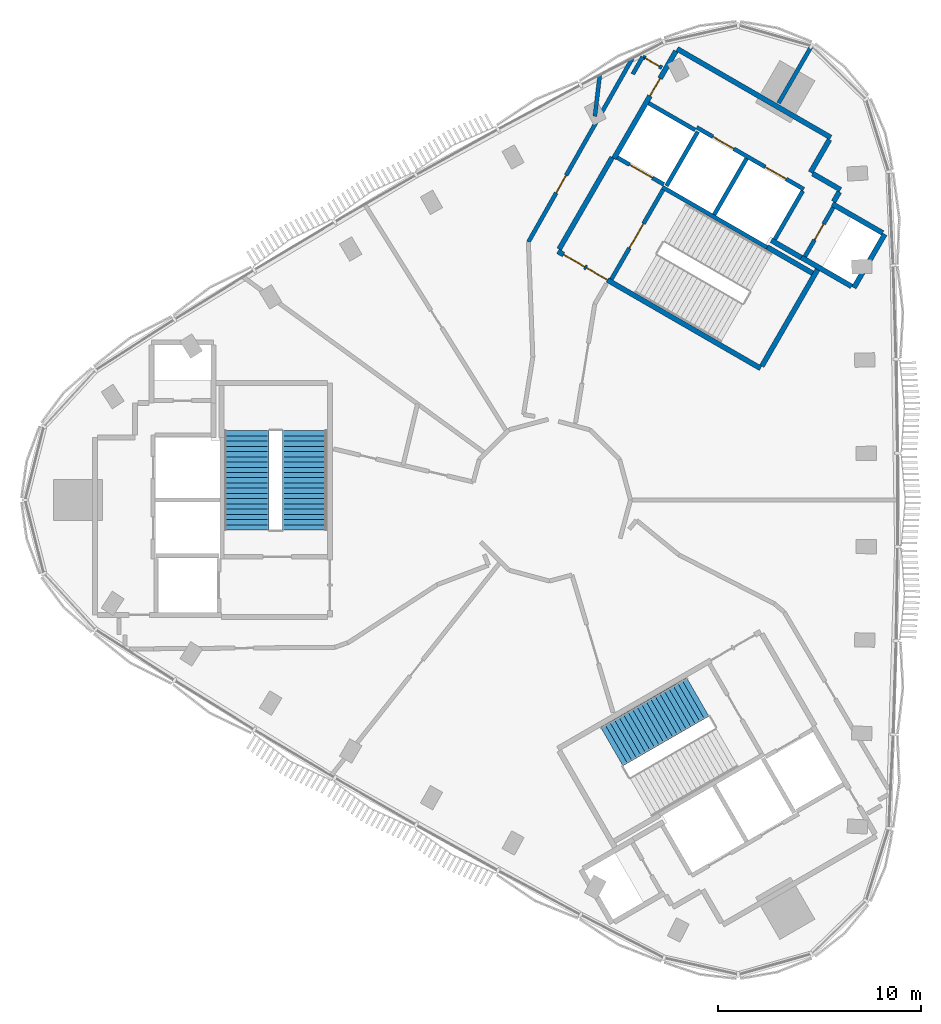
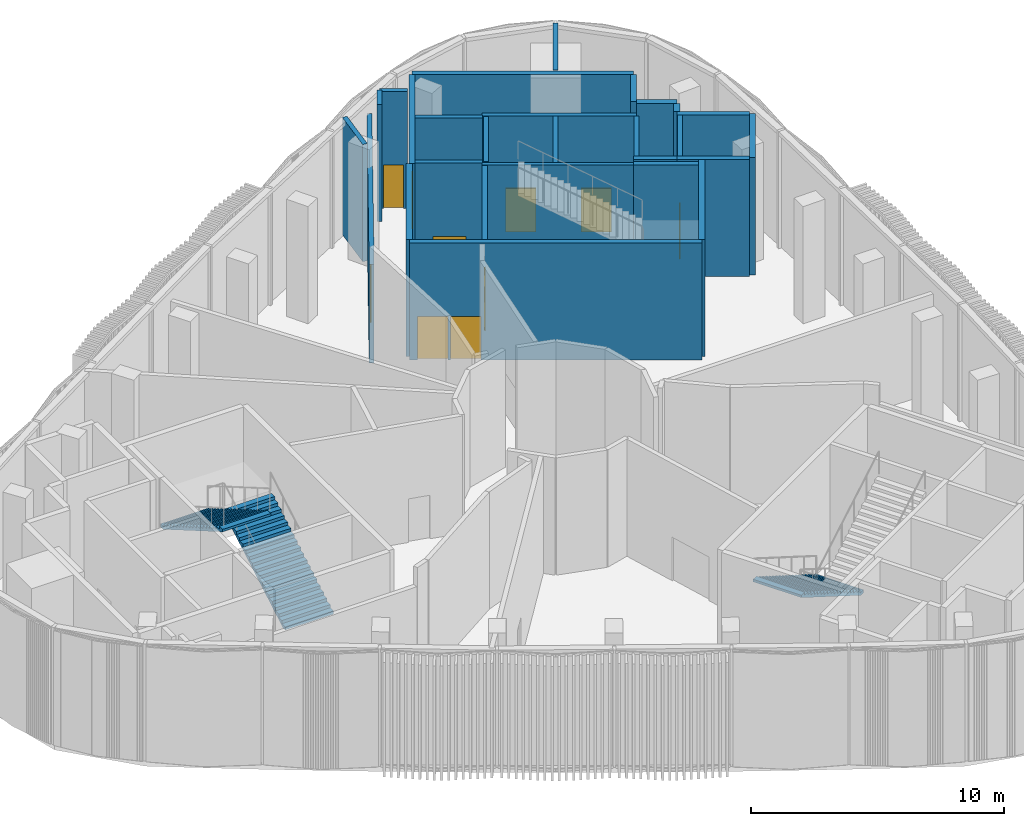
# One storey, part 5 of 11: 27 walls, 10 doors, 3 stair flights, 10 openings, 2 elements without a shape of their own.
"""IFC4 building model written with IfcOpenShell, lengths in metres."""

from ifc_helpers import new_model, si_unit, direction, frame, frame_2d, origin, place, context, subcontext, project, spatial, polyline, rectangle, outline, extrude, material, layer, layer_set, type_object, element, fill, aggregate, save


model = new_model("IFC4")

# Units and contexts
model_context = context("Model", 3, precision=1e-05, world=origin(), true_north=direction((0.0, 1.0)))
body_context = subcontext(model_context, "Body", "Model", "MODEL_VIEW")
ifc_project = project(units=[si_unit("LENGTHUNIT", "METRE"), si_unit("AREAUNIT", "SQUARE_METRE"), si_unit("VOLUMEUNIT", "CUBIC_METRE"), si_unit("PLANEANGLEUNIT", "RADIAN"), si_unit("MASSUNIT", "GRAM", prefix="KILO")], contexts=[model_context])

# Site, building, storey
site_placement = place(None, origin())
site = spatial("IfcSite", under=ifc_project, at=site_placement, CompositionType="ELEMENT")
building_placement = place(site_placement, origin())
building = spatial("IfcBuilding", under=site, at=building_placement, Name="Tamra Quay Hotel Tower", CompositionType="ELEMENT")
storey_placement = place(building_placement, frame((0.0, 0.0, 306.60009765625)))
storey = spatial("IfcBuildingStorey", under=building, at=storey_placement, Name="L77", CompositionType="ELEMENT", Elevation=306.60009765625)

# Wall, openings, doors
ifc_material_1 = material(Name="Concrete M70", Category="concrete")
ifc_layer_1 = layer(ifc_material_1, 0.199951171875)
ifc_layer_set_1 = layer_set([ifc_layer_1], Name="Concrete M70 core wall 200")
wall_type_1 = type_object("IfcWallType", Name="Concrete M70 core wall 200", PredefinedType="SHEAR", material=ifc_layer_set_1)
wall_1_placement = place(storey_placement, frame((12.552490234375, 15.341552734375, 0.0), z_axis=(0.0, 0.0, 1.0), x_axis=(-0.866030299012, 0.499991521122, 0.0)))
wall_1 = element("IfcWall", 1, at=wall_1_placement, inside=storey, type_object=wall_type_1, Name="CW2", PredefinedType="SHEAR", context=body_context, shape_type="SweptSolid", body=[
    extrude(rectangle(XDim=6.10009765625, YDim=0.199951171875, at=frame_2d((3.050048828125, 0.0))), origin(), (0.0, 0.0, 1.0), 5.64990234375),
])
opening_1_placement = place(wall_1_placement, frame((1.0, 0.0, 0.0)))
opening_1 = element("IfcOpeningElement", 2, at=opening_1_placement, cuts=wall_1, Name="Opening LD", PredefinedType="OPENING", context=body_context, shape_type="SweptSolid", body=[
    extrude(rectangle(XDim=1.199951171875, YDim=2.10009765625, at=frame_2d((0.60009765625, 1.050048828125))), frame((0.0, 0.10986328125, 0.0), z_axis=(0.0, -1.0, 0.0), x_axis=(1.0, 0.0, 0.0)), (0.0, 0.0, 1.0), 0.219970703125),
])
opening_2_placement = place(wall_1_placement, frame((3.982177734375, 0.0, 0.0)))
opening_2 = element("IfcOpeningElement", 3, at=opening_2_placement, cuts=wall_1, Name="Opening LD", PredefinedType="OPENING", context=body_context, shape_type="SweptSolid", body=[
    extrude(rectangle(XDim=1.199951171875, YDim=2.10009765625, at=frame_2d((0.60009765625, 1.050048828125))), frame((0.0, 0.10986328125, 0.0), z_axis=(0.0, -1.0, 0.0), x_axis=(1.0, 0.0, 0.0)), (0.0, 0.0, 1.0), 0.219970703125),
])
ifc_material_2 = material(Name="Landing door LD 1200 double door sliding")
door_type_1 = type_object("IfcDoorType", Name="Landing door LD 1200 double door sliding", OperationType="DOUBLE_DOOR_SLIDING", PredefinedType="DOOR", material=ifc_material_2)
door_1_placement = place(opening_1_placement, origin())
door_1 = element("IfcDoor", 4, at=door_1_placement, inside=storey, type_object=door_type_1, Name="LD", OperationType="DOUBLE_DOOR_SLIDING", OverallHeight=2.10009765625, OverallWidth=1.199951171875, PredefinedType="DOOR", context=body_context, shape_type="SweptSolid", body=[
    extrude(rectangle(XDim=1.199951171875, YDim=2.10009765625, at=frame_2d((0.60009765625, 1.050048828125))), frame((0.0, 0.02490234375, 0.0), z_axis=(0.0, -1.0, 0.0), x_axis=(1.0, 0.0, 0.0)), (0.0, 0.0, 1.0), 0.050048828125),
])
fill(opening_1, door_1)
door_2_placement = place(opening_2_placement, origin())
door_2 = element("IfcDoor", 5, at=door_2_placement, inside=storey, type_object=door_type_1, Name="LD", OperationType="DOUBLE_DOOR_SLIDING", OverallHeight=2.10009765625, OverallWidth=1.199951171875, PredefinedType="DOOR", context=body_context, shape_type="SweptSolid", body=[
    extrude(rectangle(XDim=1.199951171875, YDim=2.10009765625, at=frame_2d((0.60009765625, 1.050048828125))), frame((0.0, 0.02490234375, 0.0), z_axis=(0.0, -1.0, 0.0), x_axis=(1.0, 0.0, 0.0)), (0.0, 0.0, 1.0), 0.050048828125),
])
fill(opening_2, door_2)

# Wall
wall_2_placement = place(storey_placement, frame((10.7431640625, 12.4599609375, 0.0), z_axis=(0.0, 0.0, 1.0), x_axis=(-0.866018848283, 0.500011354289, 0.0)))
element("IfcWall", 6, at=wall_2_placement, inside=storey, type_object=wall_type_1, Name="CW2", PredefinedType="SHEAR", context=body_context, shape_type="SweptSolid", body=[
    extrude(rectangle(XDim=5.973876953125, YDim=0.199951171875, at=frame_2d((2.98681640625, 0.0))), origin(), (0.0, 0.0, 1.0), 5.64990234375),
])

# Wall, opening, door
wall_3_placement = place(storey_placement, frame((3.056640625, 10.89453125, 0.0), z_axis=(0.0, 0.0, 1.0), x_axis=(0.500027839223, 0.866009330205, 0.0)))
wall_3 = element("IfcWall", 7, at=wall_3_placement, inside=storey, type_object=wall_type_1, Name="CW2", PredefinedType="SHEAR", context=body_context, shape_type="SweptSolid", body=[
    extrude(rectangle(XDim=5.097900390625, YDim=0.199951171875, at=frame_2d((2.548828125, 0.0))), origin(), (0.0, 0.0, 1.0), 5.64990234375),
])
opening_3_placement = place(wall_3_placement, frame((1.77392578125, 0.0, 0.0)))
opening_3 = element("IfcOpeningElement", 8, at=opening_3_placement, cuts=wall_3, Name="Opening FD2", PredefinedType="OPENING", context=body_context, shape_type="SweptSolid", body=[
    extrude(rectangle(XDim=1.39990234375, YDim=2.10009765625, at=frame_2d((0.699951171875, 1.050048828125))), frame((0.0, 0.10986328125, 0.0), z_axis=(0.0, -1.0, 0.0), x_axis=(1.0, 0.0, 0.0)), (0.0, 0.0, 1.0), 0.219970703125),
])
ifc_material_3 = material(Name="Core door FD2 1400x2100 LH")
door_type_2 = type_object("IfcDoorType", Name="Core door FD2 1400x2100 LH", OperationType="NOTDEFINED", PredefinedType="DOOR", material=ifc_material_3)
door_3_placement = place(opening_3_placement, origin())
door_3 = element("IfcDoor", 9, at=door_3_placement, inside=storey, type_object=door_type_2, Name="FD2", OperationType="SINGLE_SWING_LEFT", OverallHeight=2.10009765625, OverallWidth=1.39990234375, PredefinedType="DOOR", context=body_context, shape_type="SweptSolid", body=[
    extrude(rectangle(XDim=1.39990234375, YDim=2.10009765625, at=frame_2d((0.699951171875, 1.050048828125))), frame((0.0, 0.02490234375, 0.0), z_axis=(0.0, -1.0, 0.0), x_axis=(1.0, 0.0, 0.0)), (0.0, 0.0, 1.0), 0.050048828125),
])
fill(opening_3, door_3)

# Wall
wall_4_placement = place(storey_placement, frame((8.131591796875, 14.08447265625, 0.0), z_axis=(0.0, 0.0, 1.0), x_axis=(0.500030834389, 0.86600760081, 0.0)))
element("IfcWall", 10, at=wall_4_placement, inside=storey, type_object=wall_type_1, Name="CW2", PredefinedType="SHEAR", context=body_context, shape_type="SweptSolid", body=[
    extrude(rectangle(XDim=3.197998046875, YDim=0.199951171875, at=frame_2d((1.59912109375, 0.0))), origin(), (0.0, 0.0, 1.0), 5.64990234375),
])

# Wall, opening, door
wall_5_placement = place(storey_placement, frame((14.0078125, 14.442138671875, 0.0), z_axis=(0.0, 0.0, 1.0), x_axis=(-0.499986818241, -0.866033014143, 0.0)))
wall_5 = element("IfcWall", 11, at=wall_5_placement, inside=storey, type_object=wall_type_1, Name="CW2", PredefinedType="SHEAR", context=body_context, shape_type="SweptSolid", body=[
    extrude(rectangle(XDim=2.7978515625, YDim=0.199951171875, at=frame_2d((1.39892578125, 0.0))), origin(), (0.0, 0.0, 1.0), 5.64990234375),
])
opening_4_placement = place(wall_5_placement, frame((0.948974609375, 0.0, 0.0)))
opening_4 = element("IfcOpeningElement", 12, at=opening_4_placement, cuts=wall_5, Name="Opening D1", PredefinedType="OPENING", context=body_context, shape_type="SweptSolid", body=[
    extrude(rectangle(XDim=0.89990234375, YDim=2.10009765625, at=frame_2d((0.449951171875, 1.050048828125))), frame((0.0, 0.10986328125, 0.0), z_axis=(0.0, -1.0, 0.0), x_axis=(1.0, 0.0, 0.0)), (0.0, 0.0, 1.0), 0.219970703125),
])
ifc_material_4 = material(Name="Core door D1 900x2100 RH")
door_type_3 = type_object("IfcDoorType", Name="Core door D1 900x2100 RH", OperationType="NOTDEFINED", PredefinedType="DOOR", material=ifc_material_4)
door_4_placement = place(opening_4_placement, origin())
door_4 = element("IfcDoor", 13, at=door_4_placement, inside=storey, type_object=door_type_3, Name="D1", OperationType="SINGLE_SWING_RIGHT", OverallHeight=2.10009765625, OverallWidth=0.89990234375, PredefinedType="DOOR", context=body_context, shape_type="SweptSolid", body=[
    extrude(rectangle(XDim=0.89990234375, YDim=2.10009765625, at=frame_2d((0.449951171875, 1.050048828125))), frame((0.0, 0.02490234375, 0.0), z_axis=(0.0, -1.0, 0.0), x_axis=(1.0, 0.0, 0.0)), (0.0, 0.0, 1.0), 0.050048828125),
])
fill(opening_4, door_4)

# Walls
wall_6_placement = place(storey_placement, frame((12.50244140625, 15.2548828125, 0.0), z_axis=(0.0, 0.0, 1.0), x_axis=(-0.499965018551, -0.866045599391, 0.0)))
element("IfcWall", 14, at=wall_6_placement, inside=storey, type_object=wall_type_1, Name="CW2", PredefinedType="SHEAR", context=body_context, shape_type="SweptSolid", body=[
    extrude(rectangle(XDim=2.759033203125, YDim=0.199951171875, at=frame_2d((1.37939453125, 0.0))), origin(), (0.0, 0.0, 1.0), 5.64990234375),
])
wall_7_placement = place(storey_placement, frame((7.324462890625, 18.1865234375, 0.0), z_axis=(0.0, 0.0, 1.0), x_axis=(-0.499967891604, -0.866043940782, 0.0)))
element("IfcWall", 15, at=wall_7_placement, inside=storey, type_object=wall_type_1, Name="CW2", PredefinedType="SHEAR", context=body_context, shape_type="SweptSolid", body=[
    extrude(rectangle(XDim=3.099853515625, YDim=0.199951171875, at=frame_2d((1.5498046875, 0.0))), origin(), (0.0, 0.0, 1.0), 5.64990234375),
])

# Wall, opening, door
wall_8_placement = place(storey_placement, frame((5.646240234375, 15.575927734375, 0.0), z_axis=(0.0, 0.0, 1.0), x_axis=(-0.866018407898, 0.500012117035, 0.0)))
wall_8 = element("IfcWall", 16, at=wall_8_placement, inside=storey, type_object=wall_type_1, Name="CW2", PredefinedType="SHEAR", context=body_context, shape_type="SweptSolid", body=[
    extrude(rectangle(XDim=2.65087890625, YDim=0.199951171875, at=frame_2d((1.325439453125, 0.0))), origin(), (0.0, 0.0, 1.0), 5.64990234375),
])
opening_5_placement = place(wall_8_placement, frame((0.65185546875, 0.0, 0.0)))
opening_5 = element("IfcOpeningElement", 17, at=opening_5_placement, cuts=wall_8, Name="Opening LD", PredefinedType="OPENING", context=body_context, shape_type="SweptSolid", body=[
    extrude(rectangle(XDim=1.300048828125, YDim=2.10009765625, at=frame_2d((0.64990234375, 1.050048828125))), frame((0.0, 0.10986328125, 0.0), z_axis=(0.0, -1.0, 0.0), x_axis=(1.0, 0.0, 0.0)), (0.0, 0.0, 1.0), 0.219970703125),
])
ifc_material_5 = material(Name="Landing door LD 1300 sliding to left")
door_type_4 = type_object("IfcDoorType", Name="Landing door LD 1300 sliding to left", OperationType="NOTDEFINED", PredefinedType="DOOR", material=ifc_material_5)
door_5_placement = place(opening_5_placement, origin())
door_5 = element("IfcDoor", 18, at=door_5_placement, inside=storey, type_object=door_type_4, Name="LD", OperationType="SLIDING_TO_LEFT", OverallHeight=2.10009765625, OverallWidth=1.300048828125, PredefinedType="DOOR", context=body_context, shape_type="SweptSolid", body=[
    extrude(rectangle(XDim=1.300048828125, YDim=2.10009765625, at=frame_2d((0.64990234375, 1.050048828125))), frame((0.0, 0.02490234375, 0.0), z_axis=(0.0, -1.0, 0.0), x_axis=(1.0, 0.0, 0.0)), (0.0, 0.0, 1.0), 0.050048828125),
])
fill(opening_5, door_5)

# Wall
wall_9_placement = place(storey_placement, frame((7.1962890625, 18.260498046875, 0.0), z_axis=(0.0, 0.0, 1.0), x_axis=(-0.866018407898, 0.500012117035, 0.0)))
element("IfcWall", 19, at=wall_9_placement, inside=storey, type_object=wall_type_1, Name="CW2", PredefinedType="SHEAR", context=body_context, shape_type="SweptSolid", body=[
    extrude(rectangle(XDim=2.65087890625, YDim=0.199951171875, at=frame_2d((1.325439453125, 0.0))), origin(), (0.0, 0.0, 1.0), 5.64990234375),
])

# Wall, openings, doors
ifc_layer_2 = layer(ifc_material_1, 0.25)
ifc_layer_set_2 = layer_set([ifc_layer_2], Name="Concrete M70 core wall 250")
wall_type_2 = type_object("IfcWallType", Name="Concrete M70 core wall 250", PredefinedType="SHEAR", material=ifc_layer_set_2)
wall_10_placement = place(storey_placement, frame((10.419921875, 6.497802734375, 0.0), z_axis=(0.0, 0.0, 1.0), x_axis=(-0.866021906294, 0.500006057782, 0.0)))
wall_10 = element("IfcWall", 20, at=wall_10_placement, inside=storey, type_object=wall_type_2, Name="CW1", PredefinedType="SHEAR", context=body_context, shape_type="SweptSolid", body=[
    extrude(rectangle(XDim=11.550048828125, YDim=0.25, at=frame_2d((5.77490234375, 0.0))), origin(), (0.0, 0.0, 1.0), 5.64990234375),
])
opening_6_placement = place(wall_10_placement, frame((10.02490234375, 0.0, 0.0)))
opening_6 = element("IfcOpeningElement", 21, at=opening_6_placement, cuts=wall_10, Name="Opening FD1", PredefinedType="OPENING", context=body_context, shape_type="SweptSolid", body=[
    extrude(rectangle(XDim=1.199951171875, YDim=2.10009765625, at=frame_2d((0.60009765625, 1.050048828125))), frame((0.0, 0.135009765625, 0.0), z_axis=(0.0, -1.0, 0.0), x_axis=(1.0, 0.0, 0.0)), (0.0, 0.0, 1.0), 0.27001953125),
])
opening_7_placement = place(wall_10_placement, frame((8.724853515625, 0.0, 0.0)))
opening_7 = element("IfcOpeningElement", 22, at=opening_7_placement, cuts=wall_10, Name="Opening FD1", PredefinedType="OPENING", context=body_context, shape_type="SweptSolid", body=[
    extrude(rectangle(XDim=1.199951171875, YDim=2.10009765625, at=frame_2d((0.60009765625, 1.050048828125))), frame((0.0, 0.135009765625, 0.0), z_axis=(0.0, -1.0, 0.0), x_axis=(1.0, 0.0, 0.0)), (0.0, 0.0, 1.0), 0.27001953125),
])
ifc_material_6 = material(Name="Core door FD1 1200x2100 LH")
door_type_5 = type_object("IfcDoorType", Name="Core door FD1 1200x2100 LH", OperationType="NOTDEFINED", PredefinedType="DOOR", material=ifc_material_6)
door_6_placement = place(opening_6_placement, origin())
door_6 = element("IfcDoor", 23, at=door_6_placement, inside=storey, type_object=door_type_5, Name="FD1", OperationType="SINGLE_SWING_LEFT", OverallHeight=2.10009765625, OverallWidth=1.199951171875, PredefinedType="DOOR", context=body_context, shape_type="SweptSolid", body=[
    extrude(rectangle(XDim=1.199951171875, YDim=2.10009765625, at=frame_2d((0.60009765625, 1.050048828125))), frame((0.0, 0.02490234375, 0.0), z_axis=(0.0, -1.0, 0.0), x_axis=(1.0, 0.0, 0.0)), (0.0, 0.0, 1.0), 0.050048828125),
])
fill(opening_6, door_6)
ifc_material_7 = material(Name="Core door FD1 1200x2100 RH")
door_type_6 = type_object("IfcDoorType", Name="Core door FD1 1200x2100 RH", OperationType="NOTDEFINED", PredefinedType="DOOR", material=ifc_material_7)
door_7_placement = place(opening_7_placement, origin())
door_7 = element("IfcDoor", 24, at=door_7_placement, inside=storey, type_object=door_type_6, Name="FD1", OperationType="SINGLE_SWING_RIGHT", OverallHeight=2.10009765625, OverallWidth=1.199951171875, PredefinedType="DOOR", context=body_context, shape_type="SweptSolid", body=[
    extrude(rectangle(XDim=1.199951171875, YDim=2.10009765625, at=frame_2d((0.60009765625, 1.050048828125))), frame((0.0, 0.02490234375, 0.0), z_axis=(0.0, -1.0, 0.0), x_axis=(1.0, 0.0, 0.0)), (0.0, 0.0, 1.0), 0.050048828125),
])
fill(opening_7, door_7)

# Wall
wall_11_placement = place(storey_placement, frame((6.303955078125, 22.268798828125, 0.0), z_axis=(0.0, 0.0, 1.0), x_axis=(0.866022959057, -0.500004234368, 0.0)))
element("IfcWall", 25, at=wall_11_placement, inside=storey, type_object=wall_type_2, Name="CW1", PredefinedType="SHEAR", context=body_context, shape_type="SweptSolid", body=[
    extrude(rectangle(XDim=8.75, YDim=0.25, at=frame_2d((4.375, 0.0))), origin(), (0.0, 0.0, 1.0), 5.64990234375),
])

# Wall, opening, door
wall_12_placement = place(storey_placement, frame((3.178955078125, 16.856201171875, 0.0), z_axis=(0.0, 0.0, 1.0), x_axis=(0.500001955336, 0.866024274868, 0.0)))
wall_12 = element("IfcWall", 26, at=wall_12_placement, inside=storey, type_object=wall_type_2, Name="CW1", PredefinedType="SHEAR", context=body_context, shape_type="SweptSolid", body=[
    extrude(rectangle(XDim=6.12451171875, YDim=0.25, at=frame_2d((3.062255859375, 0.0))), origin(), (0.0, 0.0, 1.0), 5.64990234375),
])
opening_8_placement = place(wall_12_placement, frame((3.562744140625, 0.0, 0.0)))
opening_8 = element("IfcOpeningElement", 27, at=opening_8_placement, cuts=wall_12, Name="Opening FD3", PredefinedType="OPENING", context=body_context, shape_type="SweptSolid", body=[
    extrude(rectangle(XDim=1.0, YDim=2.10009765625, at=frame_2d((0.5, 1.050048828125))), frame((0.0, 0.135009765625, 0.0), z_axis=(0.0, -1.0, 0.0), x_axis=(1.0, 0.0, 0.0)), (0.0, 0.0, 1.0), 0.27001953125),
])
ifc_material_8 = material(Name="Core door FD3 1000x2100 LH")
door_type_7 = type_object("IfcDoorType", Name="Core door FD3 1000x2100 LH", OperationType="NOTDEFINED", PredefinedType="DOOR", material=ifc_material_8)
door_8_placement = place(opening_8_placement, origin())
door_8 = element("IfcDoor", 28, at=door_8_placement, inside=storey, type_object=door_type_7, Name="FD3", OperationType="SINGLE_SWING_LEFT", OverallHeight=2.10009765625, OverallWidth=1.0, PredefinedType="DOOR", context=body_context, shape_type="SweptSolid", body=[
    extrude(rectangle(XDim=1.0, YDim=2.10009765625, at=frame_2d((0.5, 1.050048828125))), frame((0.0, 0.02490234375, 0.0), z_axis=(0.0, -1.0, 0.0), x_axis=(1.0, 0.0, 0.0)), (0.0, 0.0, 1.0), 0.050048828125),
])
fill(opening_8, door_8)

# Walls
wall_13_placement = place(storey_placement, frame((0.47998046875, 12.38134765625, 0.0), z_axis=(0.0, 0.0, 1.0), x_axis=(0.49999885962, 0.866026062182, 0.0)))
element("IfcWall", 29, at=wall_13_placement, inside=storey, type_object=wall_type_2, Name="CW1", PredefinedType="SHEAR", context=body_context, shape_type="SweptSolid", body=[
    extrude(rectangle(XDim=5.224609375, YDim=0.25, at=frame_2d((2.6123046875, 0.0))), origin(), (0.0, 0.0, 1.0), 5.64990234375),
])
wall_14_placement = place(storey_placement, frame((13.237548828125, 11.3779296875, 0.0), z_axis=(0.0, 0.0, 1.0), x_axis=(-0.500008851346, -0.866020293397, 0.0)))
element("IfcWall", 30, at=wall_14_placement, inside=storey, type_object=wall_type_2, Name="CW1", PredefinedType="SHEAR", context=body_context, shape_type="SweptSolid", body=[
    extrude(rectangle(XDim=5.509765625, YDim=0.25, at=frame_2d((2.7548828125, 0.0))), origin(), (0.0, 0.0, 1.0), 5.64990234375),
])
wall_15_placement = place(storey_placement, frame((16.552001953125, 13.118896484375, 0.0), z_axis=(0.0, 0.0, 1.0), x_axis=(-0.499978833458, -0.866037623948, 0.0)))
element("IfcWall", 31, at=wall_15_placement, inside=storey, type_object=wall_type_2, Name="CW1", PredefinedType="SHEAR", context=body_context, shape_type="SweptSolid", body=[
    extrude(rectangle(XDim=3.050048828125, YDim=0.25, at=frame_2d((1.52490234375, 0.0))), origin(), (0.0, 0.0, 1.0), 5.64990234375),
])
wall_16_placement = place(storey_placement, frame((14.91845703125, 10.540283203125, 0.0), z_axis=(0.0, 0.0, 1.0), x_axis=(-0.866063538972, 0.499933942099, 0.0)))
element("IfcWall", 32, at=wall_16_placement, inside=storey, type_object=wall_type_2, Name="CW1", PredefinedType="SHEAR", context=body_context, shape_type="SweptSolid", body=[
    extrude(rectangle(XDim=2.86474609375, YDim=0.25, at=frame_2d((1.432373046875, 0.0))), origin(), (0.0, 0.0, 1.0), 5.64990234375),
])
wall_17_placement = place(storey_placement, frame((13.962646484375, 14.61376953125, 0.0), z_axis=(0.0, 0.0, 1.0), x_axis=(0.866042235819, -0.499970844928, 0.0)))
element("IfcWall", 33, at=wall_17_placement, inside=storey, type_object=wall_type_2, Name="CW1", PredefinedType="SHEAR", context=body_context, shape_type="SweptSolid", body=[
    extrude(rectangle(XDim=2.864501953125, YDim=0.25, at=frame_2d((1.43212890625, 0.0))), origin(), (0.0, 0.0, 1.0), 5.64990234375),
])
wall_18_placement = place(storey_placement, frame((10.756591796875, 12.481201171875, 0.0), z_axis=(0.0, 0.0, 1.0), x_axis=(0.866022940537, -0.500004266446, 0.0)))
element("IfcWall", 34, at=wall_18_placement, inside=storey, type_object=wall_type_2, Name="CW1", PredefinedType="SHEAR", context=body_context, shape_type="SweptSolid", body=[
    extrude(rectangle(XDim=2.57470703125, YDim=0.25, at=frame_2d((1.287353515625, 0.0))), origin(), (0.0, 0.0, 1.0), 5.64990234375),
])
wall_19_placement = place(storey_placement, frame((13.819091796875, 17.78515625, 0.0), z_axis=(0.0, 0.0, 1.0), x_axis=(-0.500039802285, -0.866002422705, 0.0)))
element("IfcWall", 35, at=wall_19_placement, inside=storey, type_object=wall_type_2, Name="CW1", PredefinedType="SHEAR", context=body_context, shape_type="SweptSolid", body=[
    extrude(rectangle(XDim=1.864501953125, YDim=0.25, at=frame_2d((0.93212890625, 0.0))), origin(), (0.0, 0.0, 1.0), 5.64990234375),
])
wall_20_placement = place(storey_placement, frame((12.4326171875, 11.9638671875, 0.0), z_axis=(0.0, 0.0, 1.0), x_axis=(-0.866038183914, 0.499977863513, 0.0)))
element("IfcWall", 36, at=wall_20_placement, inside=storey, type_object=wall_type_2, Name="CW1", PredefinedType="SHEAR", context=body_context, shape_type="SweptSolid", body=[
    extrude(rectangle(XDim=1.7099609375, YDim=0.25, at=frame_2d((0.85498046875, 0.0))), origin(), (0.0, 0.0, 1.0), 5.64990234375),
])
wall_21_placement = place(storey_placement, frame((12.995361328125, 16.107666015625, 0.0), z_axis=(0.0, 0.0, 1.0), x_axis=(0.866044474677, -0.49996696679, 0.0)))
element("IfcWall", 37, at=wall_21_placement, inside=storey, type_object=wall_type_2, Name="CW1", PredefinedType="SHEAR", context=body_context, shape_type="SweptSolid", body=[
    extrude(rectangle(XDim=1.58447265625, YDim=0.25, at=frame_2d((0.792236328125, 0.0))), origin(), (0.0, 0.0, 1.0), 5.64990234375),
])
wall_22_placement = place(storey_placement, frame((14.304931640625, 15.206787109375, 0.0), z_axis=(0.0, 0.0, 1.0), x_axis=(-0.499848422343, -0.866112899501, 0.0)))
element("IfcWall", 38, at=wall_22_placement, inside=storey, type_object=wall_type_2, Name="CW1", PredefinedType="SHEAR", context=body_context, shape_type="SweptSolid", body=[
    extrude(rectangle(XDim=0.559326171875, YDim=0.25, at=frame_2d((0.27978515625, 0.0))), origin(), (0.0, 0.0, 1.0), 5.64990234375),
])

# Wall, opening, door
ifc_material_9 = material(Name="Partition party wall")
ifc_layer_3 = layer(ifc_material_9, 0.199951171875)
ifc_layer_set_3 = layer_set([ifc_layer_3], Name="Partition party wall")
wall_type_3 = type_object("IfcWallType", Name="Partition party wall", PredefinedType="PARTITIONING", material=ifc_layer_set_3)
wall_23_placement = place(storey_placement, frame((-1.03857421875, 12.736083984375, 0.0), z_axis=(0.0, 0.0, 1.0), x_axis=(0.492629053188, 0.870239401518, 0.0)))
wall_23 = element("IfcWall", 39, at=wall_23_placement, inside=storey, type_object=wall_type_3, Name="W-P", PredefinedType="PARTITIONING", context=body_context, shape_type="SweptSolid", body=[
    extrude(rectangle(XDim=10.409423828125, YDim=0.199951171875, at=frame_2d((5.20458984375, 0.0))), origin(), (0.0, 0.0, 1.0), 4.75),
])
opening_9_placement = place(wall_23_placement, frame((2.783935546875, 0.0, 0.0)))
opening_9 = element("IfcOpeningElement", 40, at=opening_9_placement, cuts=wall_23, Name="Opening L77-D002", PredefinedType="OPENING", context=body_context, shape_type="SweptSolid", body=[
    extrude(rectangle(XDim=1.0, YDim=2.10009765625, at=frame_2d((0.5, 1.050048828125))), frame((0.0, 0.10986328125, 0.0), z_axis=(0.0, -1.0, 0.0), x_axis=(1.0, 0.0, 0.0)), (0.0, 0.0, 1.0), 0.219970703125),
])
ifc_material_10 = material(Name="Door guest room 1000x2100")
door_type_8 = type_object("IfcDoorType", Name="Door guest room 1000x2100", OperationType="NOTDEFINED", PredefinedType="DOOR", material=ifc_material_10)
door_9_placement = place(opening_9_placement, origin())
door_9 = element("IfcDoor", 41, at=door_9_placement, inside=storey, type_object=door_type_8, Name="L77-D002", OperationType="SINGLE_SWING_LEFT", OverallHeight=2.10009765625, OverallWidth=1.0, PredefinedType="DOOR", context=body_context, shape_type="SweptSolid", body=[
    extrude(rectangle(XDim=1.0, YDim=2.10009765625, at=frame_2d((0.5, 1.050048828125))), frame((0.0, 0.02490234375, 0.0), z_axis=(0.0, -1.0, 0.0), x_axis=(1.0, 0.0, 0.0)), (0.0, 0.0, 1.0), 0.050048828125),
])
fill(opening_9, door_9)

# Walls
wall_24_placement = place(storey_placement, frame((2.2431640625, 18.939208984375, 0.0), z_axis=(0.0, 0.0, 1.0), x_axis=(0.11751540525, 0.993071059657, 0.0)))
element("IfcWall", 42, at=wall_24_placement, inside=storey, type_object=wall_type_3, Name="W-P", PredefinedType="PARTITIONING", context=body_context, shape_type="SweptSolid", body=[
    extrude(rectangle(XDim=2.0380859375, YDim=0.199951171875, at=frame_2d((1.01904296875, 0.0))), origin(), (0.0, 0.0, 1.0), 5.64990234375),
])
wall_25_placement = place(storey_placement, frame((4.111083984375, 21.02001953125, 0.0), z_axis=(0.0, 0.0, 1.0), x_axis=(0.499037571515, 0.866580349545, 0.0)))
element("IfcWall", 43, at=wall_25_placement, inside=storey, type_object=wall_type_3, Name="W-P", PredefinedType="PARTITIONING", context=body_context, shape_type="SweptSolid", body=[
    extrude(rectangle(XDim=0.98779296875, YDim=0.199951171875, at=frame_2d((0.493896484375, 0.0))), origin(), (0.0, 0.0, 1.0), 5.64990234375),
])

# Wall, opening, door
wall_26_placement = place(storey_placement, frame((4.60888671875, 21.876953125, 0.0), z_axis=(0.0, 0.0, 1.0), x_axis=(0.866107068482, -0.499858525911, 0.0)))
wall_26 = element("IfcWall", 44, at=wall_26_placement, inside=storey, type_object=wall_type_3, Name="W-P", PredefinedType="PARTITIONING", context=body_context, shape_type="SweptSolid", body=[
    extrude(rectangle(XDim=1.087158203125, YDim=0.199951171875, at=frame_2d((0.54345703125, 0.0))), origin(), (0.0, 0.0, 1.0), 5.64990234375),
])
opening_10_placement = place(wall_26_placement, frame((0.146728515625, 0.0, 0.0)))
opening_10 = element("IfcOpeningElement", 45, at=opening_10_placement, cuts=wall_26, Name="Opening L77-D010", PredefinedType="OPENING", context=body_context, shape_type="SweptSolid", body=[
    extrude(rectangle(XDim=0.800048828125, YDim=2.10009765625, at=frame_2d((0.39990234375, 1.050048828125))), frame((0.0, 0.10986328125, 0.0), z_axis=(0.0, -1.0, 0.0), x_axis=(1.0, 0.0, 0.0)), (0.0, 0.0, 1.0), 0.219970703125),
])
ifc_material_11 = material(Name="Door service room 800x2100")
door_type_9 = type_object("IfcDoorType", Name="Door service room 800x2100", OperationType="NOTDEFINED", PredefinedType="DOOR", material=ifc_material_11)
door_10_placement = place(opening_10_placement, origin())
door_10 = element("IfcDoor", 46, at=door_10_placement, inside=storey, type_object=door_type_9, Name="L77-D010", OperationType="SINGLE_SWING_LEFT", OverallHeight=2.10009765625, OverallWidth=0.800048828125, PredefinedType="DOOR", context=body_context, shape_type="SweptSolid", body=[
    extrude(rectangle(XDim=0.800048828125, YDim=2.10009765625, at=frame_2d((0.39990234375, 1.050048828125))), frame((0.0, 0.02490234375, 0.0), z_axis=(0.0, -1.0, 0.0), x_axis=(1.0, 0.0, 0.0)), (0.0, 0.0, 1.0), 0.050048828125),
])
fill(opening_10, door_10)

# Wall
wall_27_placement = place(storey_placement, frame((11.311279296875, 19.59130859375, 0.0), z_axis=(0.0, 0.0, 1.0), x_axis=(0.499843986188, 0.866115459666, 0.0)))
element("IfcWall", 47, at=wall_27_placement, inside=storey, type_object=wall_type_3, Name="W-P", PredefinedType="PARTITIONING", context=body_context, shape_type="SweptSolid", body=[
    extrude(rectangle(XDim=3.24609375, YDim=0.199951171875, at=frame_2d((1.623046875, 0.0))), origin(), (0.0, 0.0, 1.0), 5.64990234375),
])

# Stair, stair flights
ifc_material_12 = material(Name="Exit stair 2200 40 risers 150.0 going 258")
stair_type = type_object("IfcStairType", Name="Exit stair 2200 40 risers 150.0 going 258", PredefinedType="HALF_TURN_STAIR", material=ifc_material_12)
stair_1_placement = place(storey_placement, origin())
stair_1 = element("IfcStair", 48, at=stair_1_placement, inside=storey, type_object=stair_type, Name="L77 Exit stair ST3", PredefinedType="HALF_TURN_STAIR")
ifc_material_13 = material(Name="Exit stair flight 2200 20 risers 150.0")
stair_flight_type = type_object("IfcStairFlightType", Name="Exit stair flight 2200 20 risers 150.0", PredefinedType="STRAIGHT", material=ifc_material_13)
stair_flight_1_placement = place(storey_placement, frame((-12.082275390625, -1.47998046875, 0.0), z_axis=(0.0, 0.0, 1.0), x_axis=(0.0, 1.0, 0.0)))
stair_flight_1 = element("IfcStairFlight", 49, at=stair_flight_1_placement, type_object=stair_flight_type, Name="ST3 flight 1", NumberOfRisers=20, NumberOfTreads=19, PredefinedType="STRAIGHT", RiserHeight=0.15, TreadLength=0.258, context=body_context, shape_type="SweptSolid", body=[
    extrude(outline(polyline([(0.0, 0.0), (0.0, 0.14990234375), (0.258056640625, 0.14990234375), (0.258056640625, 0.300048828125), (0.51611328125, 0.300048828125), (0.51611328125, 0.449951171875), (0.77392578125, 0.449951171875), (0.77392578125, 0.60009765625), (1.031982421875, 0.60009765625), (1.031982421875, 0.75), (1.2900390625, 0.75), (1.2900390625, 0.89990234375), (1.548095703125, 0.89990234375), (1.548095703125, 1.050048828125), (1.805908203125, 1.050048828125), (1.805908203125, 1.199951171875), (2.06396484375, 1.199951171875), (2.06396484375, 1.35009765625), (2.322021484375, 1.35009765625), (2.322021484375, 1.5), (2.580078125, 1.5), (2.580078125, 1.64990234375), (2.837890625, 1.64990234375), (2.837890625, 1.800048828125), (3.095947265625, 1.800048828125), (3.095947265625, 1.949951171875), (3.35400390625, 1.949951171875), (3.35400390625, 2.10009765625), (3.612060546875, 2.10009765625), (3.612060546875, 2.25), (3.8701171875, 2.25), (3.8701171875, 2.39990234375), (4.1279296875, 2.39990234375), (4.1279296875, 2.550048828125), (4.385986328125, 2.550048828125), (4.385986328125, 2.699951171875), (4.64404296875, 2.699951171875), (4.64404296875, 2.85009765625), (4.902099609375, 2.85009765625), (4.902099609375, 3.0), (4.902099609375, 2.734130859375), (0.19921875, 0.0), (0.0, 0.0)])), frame((0.0, 1.10009765625, 0.0), z_axis=(0.0, -1.0, 0.0), x_axis=(1.0, 0.0, 0.0)), (0.0, 0.0, 1.0), 2.199951171875),
])
stair_flight_2_placement = place(storey_placement, frame((-14.94140625, 3.421875, 3.0), z_axis=(0.0, 0.0, 1.0), x_axis=(0.0, -1.0, 0.0)))
stair_flight_2 = element("IfcStairFlight", 50, at=stair_flight_2_placement, type_object=stair_flight_type, Name="ST3 flight 2", NumberOfRisers=20, NumberOfTreads=19, PredefinedType="STRAIGHT", RiserHeight=0.15, TreadLength=0.258, context=body_context, shape_type="SweptSolid", body=[
    extrude(outline(polyline([(0.0, 0.0), (0.0, 0.14990234375), (0.258056640625, 0.14990234375), (0.258056640625, 0.300048828125), (0.51611328125, 0.300048828125), (0.51611328125, 0.449951171875), (0.77392578125, 0.449951171875), (0.77392578125, 0.60009765625), (1.031982421875, 0.60009765625), (1.031982421875, 0.75), (1.2900390625, 0.75), (1.2900390625, 0.89990234375), (1.548095703125, 0.89990234375), (1.548095703125, 1.050048828125), (1.805908203125, 1.050048828125), (1.805908203125, 1.199951171875), (2.06396484375, 1.199951171875), (2.06396484375, 1.35009765625), (2.322021484375, 1.35009765625), (2.322021484375, 1.5), (2.580078125, 1.5), (2.580078125, 1.64990234375), (2.837890625, 1.64990234375), (2.837890625, 1.800048828125), (3.095947265625, 1.800048828125), (3.095947265625, 1.949951171875), (3.35400390625, 1.949951171875), (3.35400390625, 2.10009765625), (3.612060546875, 2.10009765625), (3.612060546875, 2.25), (3.8701171875, 2.25), (3.8701171875, 2.39990234375), (4.1279296875, 2.39990234375), (4.1279296875, 2.550048828125), (4.385986328125, 2.550048828125), (4.385986328125, 2.699951171875), (4.64404296875, 2.699951171875), (4.64404296875, 2.85009765625), (4.902099609375, 2.85009765625), (4.902099609375, 3.0), (4.902099609375, 2.734130859375), (0.19921875, 0.0), (0.0, 0.0)])), frame((0.0, 1.10009765625, 0.0), z_axis=(0.0, -1.0, 0.0), x_axis=(1.0, 0.0, 0.0)), (0.0, 0.0, 1.0), 2.199951171875),
])
aggregate(stair_1, [stair_flight_1, stair_flight_2])

# Stair, stair flight
stair_2_placement = place(storey_placement, origin())
stair_2 = element("IfcStair", 51, at=stair_2_placement, inside=storey, type_object=stair_type, Name="L77 Exit stair ST2", PredefinedType="HALF_TURN_STAIR")
stair_flight_3_placement = place(storey_placement, frame((7.322998046875, -9.7236328125, 0.0), z_axis=(0.0, 0.0, 1.0), x_axis=(-0.866025403784, -0.5, 0.0)))
stair_flight_3 = element("IfcStairFlight", 52, at=stair_flight_3_placement, type_object=stair_flight_type, Name="ST2 flight 1", NumberOfRisers=20, NumberOfTreads=19, PredefinedType="STRAIGHT", RiserHeight=0.15, TreadLength=0.258, context=body_context, shape_type="SweptSolid", body=[
    extrude(outline(polyline([(0.0, 0.0), (0.0, 0.14990234375), (0.258056640625, 0.14990234375), (0.258056640625, 0.300048828125), (0.51611328125, 0.300048828125), (0.51611328125, 0.449951171875), (0.77392578125, 0.449951171875), (0.77392578125, 0.60009765625), (1.031982421875, 0.60009765625), (1.031982421875, 0.75), (1.2900390625, 0.75), (1.2900390625, 0.89990234375), (1.548095703125, 0.89990234375), (1.548095703125, 1.050048828125), (1.805908203125, 1.050048828125), (1.805908203125, 1.199951171875), (2.06396484375, 1.199951171875), (2.06396484375, 1.35009765625), (2.322021484375, 1.35009765625), (2.322021484375, 1.5), (2.580078125, 1.5), (2.580078125, 1.64990234375), (2.837890625, 1.64990234375), (2.837890625, 1.800048828125), (3.095947265625, 1.800048828125), (3.095947265625, 1.949951171875), (3.35400390625, 1.949951171875), (3.35400390625, 2.10009765625), (3.612060546875, 2.10009765625), (3.612060546875, 2.25), (3.8701171875, 2.25), (3.8701171875, 2.39990234375), (4.1279296875, 2.39990234375), (4.1279296875, 2.550048828125), (4.385986328125, 2.550048828125), (4.385986328125, 2.699951171875), (4.64404296875, 2.699951171875), (4.64404296875, 2.85009765625), (4.902099609375, 2.85009765625), (4.902099609375, 3.0), (4.902099609375, 2.734130859375), (0.19921875, 0.0), (0.0, 0.0)])), frame((0.0, 1.10009765625, 0.0), z_axis=(0.0, -1.0, 0.0), x_axis=(1.0, 0.0, 0.0)), (0.0, 0.0, 1.0), 2.199951171875),
])
aggregate(stair_2, [stair_flight_3])

save(model, "model.ifc")
